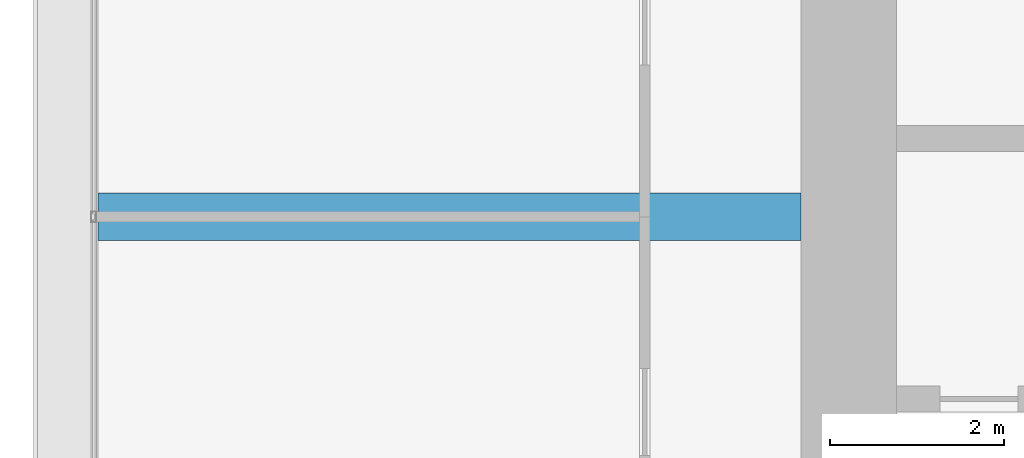
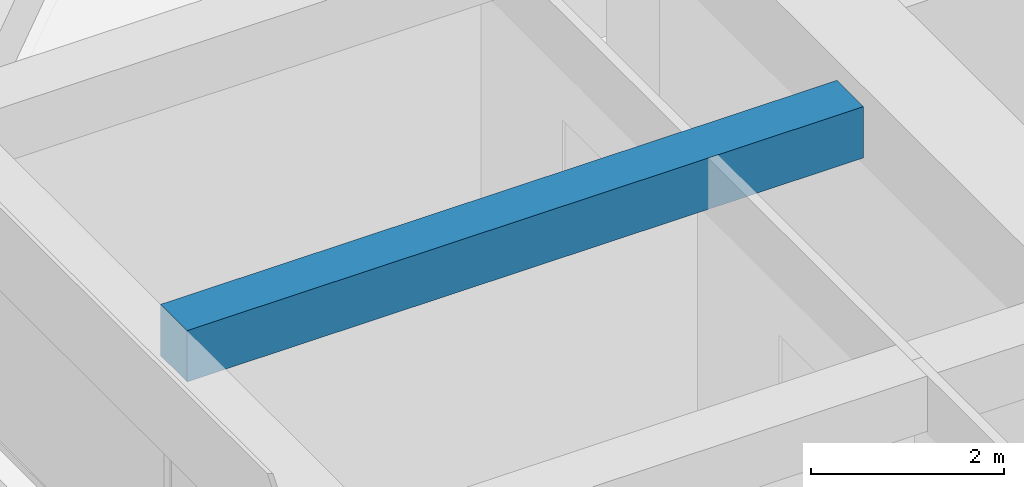
# One storey, part 17 of 44: 1 beam.
"""IFC4 building model written with IfcOpenShell, lengths in metres."""

from ifc_helpers import new_model, si_unit, direction, frame, origin, origin_2d, place, context, subcontext, project, spatial, rectangle, extrude, material, material_profile, profile_set, type_object, element, save


model = new_model("IFC4")

# Units and contexts
model_context = context("Model", 3, precision=1e-05, world=origin(), true_north=direction((0.0, 1.0)))
body_context = subcontext(model_context, "Body", "Model", "MODEL_VIEW")
ifc_project = project(units=[si_unit("LENGTHUNIT", "METRE"), si_unit("AREAUNIT", "SQUARE_METRE"), si_unit("VOLUMEUNIT", "CUBIC_METRE"), si_unit("PLANEANGLEUNIT", "RADIAN"), si_unit("MASSUNIT", "GRAM", prefix="KILO")], contexts=[model_context])

# Site, building, storey
site_placement = place(None, origin())
site = spatial("IfcSite", under=ifc_project, at=site_placement, CompositionType="ELEMENT")
building_placement = place(site_placement, origin())
building = spatial("IfcBuilding", under=site, at=building_placement, Name="Zorevar Civic Tower", CompositionType="ELEMENT")
storey_placement = place(building_placement, frame((0.0, 0.0, 259.39990234375)))
storey = spatial("IfcBuildingStorey", under=building, at=storey_placement, Name="L63", CompositionType="ELEMENT", Elevation=259.39990234375)

# Beam
ifc_material = material(Name="Concrete C50/60", Category="concrete")
ifc_material_profile = material_profile(ifc_material, rectangle(XDim=0.550048828125, YDim=0.64990234375, at=origin_2d()), Name="RC 550x650")
ifc_profile_set = profile_set([ifc_material_profile], Name="Concrete C50/60")
beam_type = type_object("IfcBeamType", Name="Beam RC 550x650", PredefinedType="BEAM", material=ifc_profile_set)
beam_placement = place(storey_placement, frame((9.35009765625, 31.5, 3.425048828125), z_axis=(1.0, 0.0, 0.0), x_axis=(0.0, 1.0, 0.0)))
element("IfcBeam", 1, at=beam_placement, inside=storey, type_object=beam_type, Name="Secondary beam L64", PredefinedType="BEAM", context=body_context, shape_type="SweptSolid", body=[
    extrude(rectangle(XDim=0.550048828125, YDim=0.64990234375, at=origin_2d()), origin(), (0.0, 0.0, 1.0), 8.099853515625),
])

save(model, "model.ifc")
